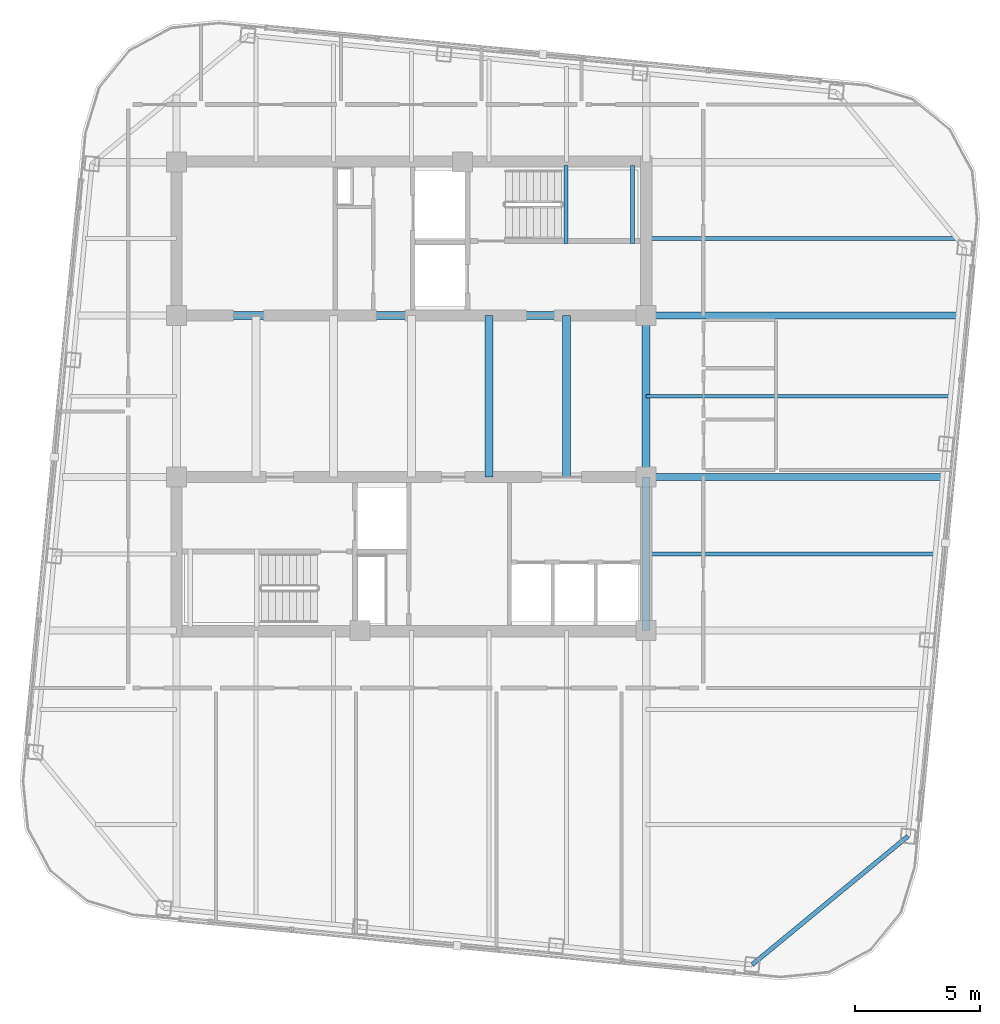
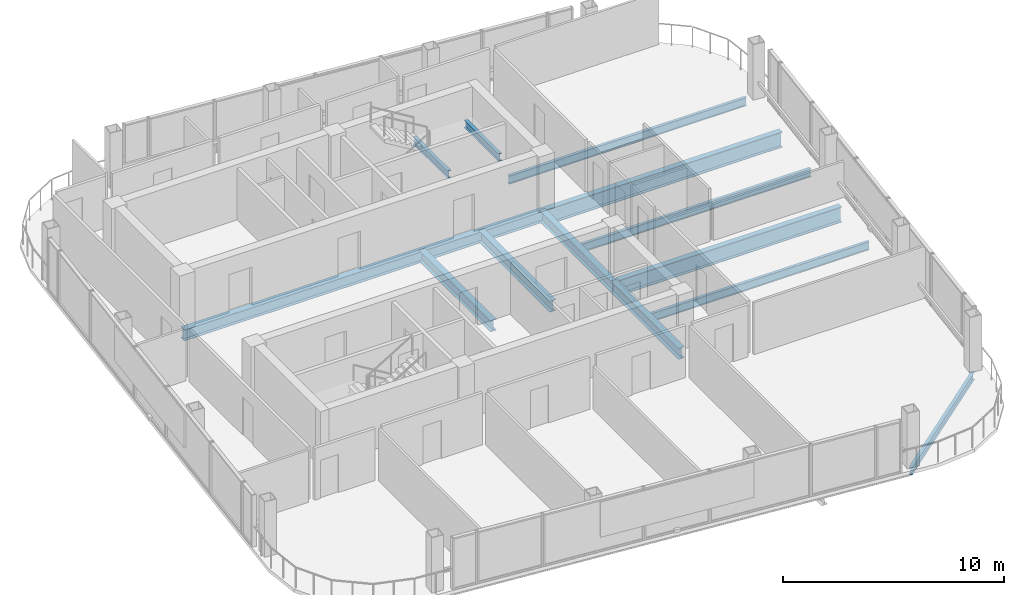
# One storey, part 12 of 27: 13 beams.
"""IFC4 building model written with IfcOpenShell, lengths in metres."""

import ifcopenshell
import ifcopenshell.guid

model = None  # the IFC model being written
_history = None  # IfcOwnerHistory: only IFC2X3 demands one
_inside = {}  # id of a spatial element -> (the spatial element, [elements in it])
_under = {}  # id of a project, library or spatial element -> (it, [spatial elements below it])
_declared = {}  # id of a project -> (the project, [libraries it declares])
_typed = {}  # id of a type object -> (the type object, [elements of that type])
_made_of = {}  # id of a material, layer set ... -> (it, [elements and type objects made of it])


def new_model(schema):
    """Start an empty IFC model of exactly this schema.

    Asked for "IFC4X3", IfcOpenShell would pick the latest addendum, in which some entities
    have other attributes; the version numbers below select the first issue.
    IFC2X3 requires an IfcOwnerHistory on every rooted entity: one is made here for all.
    """
    global model, _history
    if schema == "IFC4X3":
        model = ifcopenshell.file(schema_version=(4, 3, 0, 0))
    else:
        model = ifcopenshell.file(schema=schema)
    _inside.clear()
    _under.clear()
    _declared.clear()
    _typed.clear()
    _made_of.clear()
    _history = None
    if model.schema == "IFC2X3":
        org = make("IfcOrganization", Name="unknown")
        user = make(
            "IfcPersonAndOrganization",
            ThePerson=make("IfcPerson", FamilyName="unknown"),
            TheOrganization=org,
        )
        app = make(
            "IfcApplication",
            ApplicationDeveloper=org,
            Version="unknown",
            ApplicationFullName="unknown",
            ApplicationIdentifier="unknown",
        )
        _history = make(
            "IfcOwnerHistory",
            OwningUser=user,
            OwningApplication=app,
            ChangeAction="ADDED",
            CreationDate=0,
        )
    return model


def make(cls, **values):
    """One entity of the class cls with the attributes given. An attribute that is None is left unset."""
    return model.create_entity(
        cls, **{name: value for name, value in values.items() if value is not None}
    )


def rooted(cls, **values):
    """An entity with a GlobalId (a new one), such as an element, a storey or a relation."""
    return make(cls, GlobalId=ifcopenshell.guid.new(), OwnerHistory=_history, **values)


def si_unit(unit_type, name, prefix=None):
    """IfcSIUnit, for example si_unit("LENGTHUNIT", "METRE", prefix="MILLI")."""
    return make("IfcSIUnit", UnitType=unit_type, Prefix=prefix, Name=name)


def assignment(units):
    """IfcUnitAssignment: the units of a project."""
    return None if units is None else make("IfcUnitAssignment", Units=units)


def point(xyz):
    """IfcCartesianPoint."""
    return None if xyz is None else make("IfcCartesianPoint", Coordinates=xyz)


def direction(xyz):
    """IfcDirection."""
    return None if xyz is None else make("IfcDirection", DirectionRatios=xyz)


def frame(location, z_axis=None, x_axis=None):
    """IfcAxis2Placement3D, a coordinate frame: its origin and axes. An axis left out is left unset."""
    return make(
        "IfcAxis2Placement3D",
        Location=point(location),
        Axis=direction(z_axis),
        RefDirection=direction(x_axis),
    )


def frame_2d(location, x_axis=None):
    """IfcAxis2Placement2D, a coordinate frame in the plane: its origin and x axis."""
    return make(
        "IfcAxis2Placement2D", Location=point(location), RefDirection=direction(x_axis)
    )


def origin():
    """The frame at (0, 0, 0) with its axes left unset."""
    return frame((0.0, 0.0, 0.0))


def origin_2d():
    """The frame at (0, 0) in the plane with its x axis left unset."""
    return frame_2d((0.0, 0.0))


def place(relative_to, where):
    """IfcLocalPlacement: puts the frame where relative to a parent placement (None: the world)."""
    return make(
        "IfcLocalPlacement", PlacementRelTo=relative_to, RelativePlacement=where
    )


def context(
    kind, dimensions, precision=None, world=None, true_north=None, identifier=None
):
    """IfcGeometricRepresentationContext, for example the 3D "Model" context."""
    return make(
        "IfcGeometricRepresentationContext",
        ContextIdentifier=identifier,
        ContextType=kind,
        CoordinateSpaceDimension=dimensions,
        Precision=precision,
        WorldCoordinateSystem=world,
        TrueNorth=true_north,
    )


def subcontext(parent, identifier, kind, view, scale=None):
    """IfcGeometricRepresentationSubContext, for example "Body" below "Model"."""
    return make(
        "IfcGeometricRepresentationSubContext",
        ContextIdentifier=identifier,
        ContextType=kind,
        ParentContext=parent,
        TargetScale=scale,
        TargetView=view,
    )


def project(units=None, contexts=None):
    """IfcProject with its units and contexts."""
    return rooted(
        "IfcProject",
        Name="project",
        RepresentationContexts=contexts,
        UnitsInContext=assignment(units),
    )


def spatial(cls, under=None, at=None, **own):
    """A site, building, storey or space (cls), placed at a placement, below another one or the project."""
    s = rooted(cls, ObjectPlacement=at, **own)
    if under is not None:
        _under.setdefault(under.id(), (under, []))[1].append(s)
    return s


def profile(cls, at=None, kind="AREA", **sizes):
    """A parametric profile (cls). Its sizes go by their IFC names, for example OverallWidth=200.0."""
    return make(cls, ProfileType=kind, Position=at, **sizes)


def i_section(**sizes):
    """IfcIShapeProfileDef."""
    return profile("IfcIShapeProfileDef", **sizes)


def extrude(swept, where, along, depth):
    """IfcExtrudedAreaSolid: the profile swept, set in the frame where, extruded along a direction by depth."""
    return make(
        "IfcExtrudedAreaSolid",
        SweptArea=swept,
        Position=where,
        ExtrudedDirection=direction(along),
        Depth=depth,
    )


def shape(context_of_items, identifier, shape_type, items):
    """IfcShapeRepresentation: the items that make up one representation, for example the "Body"."""
    return make(
        "IfcShapeRepresentation",
        ContextOfItems=context_of_items,
        RepresentationIdentifier=identifier,
        RepresentationType=shape_type,
        Items=items,
    )


def material(Name=None, Category=None):
    """IfcMaterial."""
    return make("IfcMaterial", Name=Name, Category=Category)


def material_profile(
    of_material, cross_section, Name=None, Category=None, Priority=None
):
    """IfcMaterialProfile: a cross section and its material."""
    return make(
        "IfcMaterialProfile",
        Name=Name,
        Material=of_material,
        Profile=cross_section,
        Priority=Priority,
        Category=Category,
    )


def profile_set(profiles, Name=None, composite=None):
    """IfcMaterialProfileSet."""
    return make(
        "IfcMaterialProfileSet",
        Name=Name,
        MaterialProfiles=profiles,
        CompositeProfile=composite,
    )


def made_of(thing, what):
    """Note that an element or type object is made of a material, layer set ...; save() writes the relation."""
    if what is not None:
        _made_of.setdefault(what.id(), (what, []))[1].append(thing)
    return thing


def type_object(cls, material=None, **own):
    """A type object (cls), such as IfcWallType, which elements share."""
    return made_of(rooted(cls, **own), material)


def element(
    cls,
    number,
    at=None,
    inside=None,
    cuts=None,
    type_object=None,
    material=None,
    context=None,
    identifier="Body",
    shape_type=None,
    held_by="IfcProductDefinitionShape",
    body=None,
    shapes=None,
    **own,
):
    """One element of the class cls, such as IfcWall. Its Tag is "e" and its number.

    at: its placement. inside: the storey or other place that contains it. cuts: it is an
    opening in that element (IfcRelVoidsElement). A single representation is given by context,
    identifier, shape_type and body (its items); several are given by shapes. held_by: the class
    of the entity that holds the representations. save() writes the other relations.
    """
    e = rooted(cls, Tag="e%d" % number, ObjectPlacement=at, **own)
    if body is not None:
        shapes = [shape(context, identifier, shape_type, body)]
    if shapes is not None:
        e.Representation = make(held_by, Representations=shapes)
    if inside is not None:
        _inside.setdefault(inside.id(), (inside, []))[1].append(e)
    if cuts is not None:
        rooted(
            "IfcRelVoidsElement", RelatingBuildingElement=cuts, RelatedOpeningElement=e
        )
    if type_object is not None:
        _typed.setdefault(type_object.id(), (type_object, []))[1].append(e)
    return made_of(e, material)


def aggregate(whole, parts):
    """IfcRelAggregates: a whole, such as a stair, and the parts it consists of."""
    return rooted("IfcRelAggregates", RelatingObject=whole, RelatedObjects=parts)


def save(model, path):
    """Write the relations noted so far, then the file.

    IfcRelAggregates (storeys below a building ...), IfcRelContainedInSpatialStructure (elements
    in a storey), IfcRelDefinesByType, IfcRelAssociatesMaterial and IfcRelDeclares: one each for
    every whole, place, type object, material and project.
    """
    for whole, parts in _under.values():
        aggregate(whole, parts)
    for where, things in _inside.values():
        rooted(
            "IfcRelContainedInSpatialStructure",
            RelatedElements=things,
            RelatingStructure=where,
        )
    for kind, things in _typed.values():
        rooted("IfcRelDefinesByType", RelatedObjects=things, RelatingType=kind)
    for what, things in _made_of.values():
        rooted("IfcRelAssociatesMaterial", RelatedObjects=things, RelatingMaterial=what)
    for by, libraries in _declared.values():
        rooted("IfcRelDeclares", RelatingContext=by, RelatedDefinitions=libraries)
    model.write(path)


model = new_model("IFC4")

# Units and contexts
model_context = context("Model", 3, precision=1e-05, world=origin(), true_north=direction((0.0, 1.0)))
body_context = subcontext(model_context, "Body", "Model", "MODEL_VIEW")
ifc_project = project(units=[si_unit("LENGTHUNIT", "METRE"), si_unit("AREAUNIT", "SQUARE_METRE"), si_unit("VOLUMEUNIT", "CUBIC_METRE"), si_unit("PLANEANGLEUNIT", "RADIAN"), si_unit("MASSUNIT", "GRAM", prefix="KILO")], contexts=[model_context])

# Site, building, storey
site_placement = place(None, origin())
site = spatial("IfcSite", under=ifc_project, at=site_placement, CompositionType="ELEMENT")
building_placement = place(site_placement, origin())
building = spatial("IfcBuilding", under=site, at=building_placement, Name="Qhalaya Broadcast Tower", CompositionType="ELEMENT")
storey_placement = place(building_placement, frame((0.0, 0.0, 258.10009765625)))
storey = spatial("IfcBuildingStorey", under=building, at=storey_placement, Name="L76", CompositionType="ELEMENT", Elevation=258.10009765625)

# Beams
ifc_material = material(Name="Structural Steel ASTM A992 Grade 50", Category="steel")
ifc_material_profile_1 = material_profile(ifc_material, i_section(OverallWidth=0.154052734375, OverallDepth=0.458984375, WebThickness=0.009033203125, FlangeThickness=0.015380859375, at=origin_2d()), Name="W18X46")
ifc_profile_set_1 = profile_set([ifc_material_profile_1], Name="Structural Steel ASTM A992 Grade 50")
beam_type_1 = type_object("IfcBeamType", Name="Composite Floor Joist J04", PredefinedType="JOIST", material=ifc_profile_set_1)
beam_1_placement = place(storey_placement, frame((9.375, -5.699951171875, -0.419677734375), z_axis=(1.0, 0.0, 0.0), x_axis=(0.0, 1.0, 0.0)))
element("IfcBeam", 1, at=beam_1_placement, inside=storey, type_object=beam_type_1, Name="L76 J04 L76-JWE3E-1", PredefinedType="JOIST", context=body_context, shape_type="SweptSolid", body=[
    extrude(i_section(OverallWidth=0.154052734375, OverallDepth=0.458984375, WebThickness=0.009033203125, FlangeThickness=0.015380859375, at=origin_2d()), origin(), (0.0, 0.0, 1.0), 11.517822265625),
])
beam_2_placement = place(storey_placement, frame((9.375, 0.60009765625, -0.419677734375), z_axis=(1.0, 0.0, 0.0), x_axis=(0.0, 1.0, 0.0)))
element("IfcBeam", 2, at=beam_2_placement, inside=storey, type_object=beam_type_1, Name="L76 J04 L76-JWE4E-1", PredefinedType="JOIST", context=body_context, shape_type="SweptSolid", body=[
    extrude(i_section(OverallWidth=0.154052734375, OverallDepth=0.458984375, WebThickness=0.009033203125, FlangeThickness=0.015380859375, at=origin_2d()), origin(), (0.0, 0.0, 1.0), 12.12451171875),
])
beam_3_placement = place(storey_placement, frame((9.375, 6.89990234375, -0.419677734375), z_axis=(1.0, 0.0, 0.0), x_axis=(0.0, 1.0, 0.0)))
element("IfcBeam", 3, at=beam_3_placement, inside=storey, type_object=beam_type_1, Name="L76 J04 L76-JWE5E-1", PredefinedType="JOIST", context=body_context, shape_type="SweptSolid", body=[
    extrude(i_section(OverallWidth=0.154052734375, OverallDepth=0.458984375, WebThickness=0.009033203125, FlangeThickness=0.015380859375, at=origin_2d()), origin(), (0.0, 0.0, 1.0), 12.38330078125),
])
ifc_material_profile_2 = material_profile(ifc_material, i_section(OverallWidth=0.323974609375, OverallDepth=0.612060546875, WebThickness=0.0126953125, FlangeThickness=0.01904296875, at=origin_2d()), Name="W24X104")
ifc_profile_set_2 = profile_set([ifc_material_profile_2], Name="Structural Steel ASTM A992 Grade 50")
beam_type_2 = type_object("IfcBeamType", Name="Core Frame Tie Beam B04", PredefinedType="BEAM", material=ifc_profile_set_2)
beam_4_placement = place(storey_placement, frame((-9.375, 3.824951171875, -0.49609375), z_axis=(1.0, 0.0, 0.0), x_axis=(0.0, 1.0, 0.0)))
element("IfcBeam", 4, at=beam_4_placement, inside=storey, type_object=beam_type_2, Name="L76 B04 L76-CCN1", PredefinedType="BEAM", context=body_context, shape_type="SweptSolid", body=[
    extrude(i_section(OverallWidth=0.323974609375, OverallDepth=0.612060546875, WebThickness=0.0126953125, FlangeThickness=0.01904296875, at=origin_2d()), origin(), (0.0, 0.0, 1.0), 18.75),
])
beam_5_placement = place(storey_placement, frame((9.375, -8.75, -0.49609375), z_axis=(0.0, 1.0, 0.0), x_axis=(-1.0, 0.0, 0.0)))
element("IfcBeam", 5, at=beam_5_placement, inside=storey, type_object=beam_type_2, Name="L76 B04 L76-CCS2", PredefinedType="BEAM", context=body_context, shape_type="SweptSolid", body=[
    extrude(i_section(OverallWidth=0.323974609375, OverallDepth=0.612060546875, WebThickness=0.0126953125, FlangeThickness=0.01904296875, at=origin_2d()), origin(), (0.0, 0.0, 1.0), 6.125),
])
for number, where, z_axis, x_axis, name in (
    (6, (9.375, -2.625, -0.49609375), (0.0, 1.0, 0.0), (-1.0, 0.0, 0.0), "L76 B04 L76-CCE"),
    (7, (3.10009765625, -2.625, -0.49609375), (0.0, 1.0, 0.0), (-1.0, 0.0, 0.0), "L76 B04 L76-JC4-1"),
    (8, (6.199951171875, -2.625, -0.49609375), (0.0, 1.0, 0.0), (-1.0, 0.0, 0.0), "L76 B04 L76-JC5-1"),
):
    element("IfcBeam", number, at=place(storey_placement, frame(where, z_axis=z_axis, x_axis=x_axis)), inside=storey, type_object=beam_type_2, Name=name, PredefinedType="BEAM", context=body_context, shape_type="SweptSolid", body=[
        extrude(i_section(OverallWidth=0.323974609375, OverallDepth=0.612060546875, WebThickness=0.0126953125, FlangeThickness=0.01904296875, at=origin_2d()), origin(), (0.0, 0.0, 1.0), 6.449951171875),
    ])
ifc_material_profile_3 = material_profile(ifc_material, i_section(OverallWidth=0.2919921875, OverallDepth=0.85888671875, WebThickness=0.01708984375, FlangeThickness=0.031005859375, at=origin_2d()), Name="W33X169")
ifc_profile_set_3 = profile_set([ifc_material_profile_3], Name="Structural Steel ASTM A992 Grade 50")
beam_type_3 = type_object("IfcBeamType", Name="Upper Block Primary Girder PG4", PredefinedType="USERDEFINED", material=ifc_profile_set_3)
beam_6_placement = place(storey_placement, frame((9.375, -2.625, -0.61962890625), z_axis=(1.0, 0.0, 0.0), x_axis=(0.0, 1.0, 0.0)))
element("IfcBeam", 9, at=beam_6_placement, inside=storey, type_object=beam_type_3, Name="L76 PG4 L76-PGYE2-1", ObjectType="GIRDER", PredefinedType="USERDEFINED", context=body_context, shape_type="SweptSolid", body=[
    extrude(i_section(OverallWidth=0.2919921875, OverallDepth=0.85888671875, WebThickness=0.01708984375, FlangeThickness=0.031005859375, at=origin_2d()), origin(), (0.0, 0.0, 1.0), 11.81396484375),
])
beam_7_placement = place(storey_placement, frame((9.375, 3.824951171875, -0.61962890625), z_axis=(1.0, 0.0, 0.0), x_axis=(0.0, 1.0, 0.0)))
element("IfcBeam", 10, at=beam_7_placement, inside=storey, type_object=beam_type_3, Name="L76 PG4 L76-PGYE3-1", ObjectType="GIRDER", PredefinedType="USERDEFINED", context=body_context, shape_type="SweptSolid", body=[
    extrude(i_section(OverallWidth=0.2919921875, OverallDepth=0.85888671875, WebThickness=0.01708984375, FlangeThickness=0.031005859375, at=origin_2d()), origin(), (0.0, 0.0, 1.0), 12.43505859375),
])
ifc_material_profile_4 = material_profile(ifc_material, i_section(OverallWidth=0.177978515625, OverallDepth=0.406005859375, WebThickness=0.0078125, FlangeThickness=0.0126953125, at=origin_2d()), Name="W16X40")
ifc_profile_set_4 = profile_set([ifc_material_profile_4], Name="Structural Steel ASTM A992 Grade 50")
beam_type_4 = type_object("IfcBeamType", Name="Upper Perimeter Spandrel Beam SP2", PredefinedType="SPANDREL", material=ifc_profile_set_4)
beam_8_placement = place(storey_placement, frame((13.6083984375, -22.09033203125, -0.39306640625), z_axis=(0.771631160126, 0.636070241972, 0.0), x_axis=(-0.636070241972, 0.771631160126, 0.0)))
element("IfcBeam", 11, at=beam_8_placement, inside=storey, type_object=beam_type_4, Name="L76 SP2 L76-SPR-04", PredefinedType="SPANDREL", context=body_context, shape_type="SweptSolid", body=[
    extrude(i_section(OverallWidth=0.177978515625, OverallDepth=0.406005859375, WebThickness=0.0078125, FlangeThickness=0.0126953125, at=origin_2d()), origin(), (0.0, 0.0, 1.0), 8.06103515625),
])
for number, where, z_axis, x_axis, name in (
    (12, (6.175048828125, 6.699951171875, 1.121826171875), (0.0, 1.0, 0.0), (-1.0, 0.0, 0.0), "L76 ST-1 Half-Landing Bearer Beam 1"),
    (13, (8.830078125, 6.699951171875, 1.121826171875), (0.0, 1.0, 0.0), (-1.0, 0.0, 0.0), "L76 ST-1 Half-Landing Bearer Beam 2"),
):
    element("IfcBeam", number, at=place(storey_placement, frame(where, z_axis=z_axis, x_axis=x_axis)), inside=storey, type_object=beam_type_4, Name=name, PredefinedType="SPANDREL", context=body_context, shape_type="SweptSolid", body=[
        extrude(i_section(OverallWidth=0.177978515625, OverallDepth=0.406005859375, WebThickness=0.0078125, FlangeThickness=0.0126953125, at=origin_2d()), origin(), (0.0, 0.0, 1.0), 3.1201171875),
    ])

save(model, "model.ifc")
